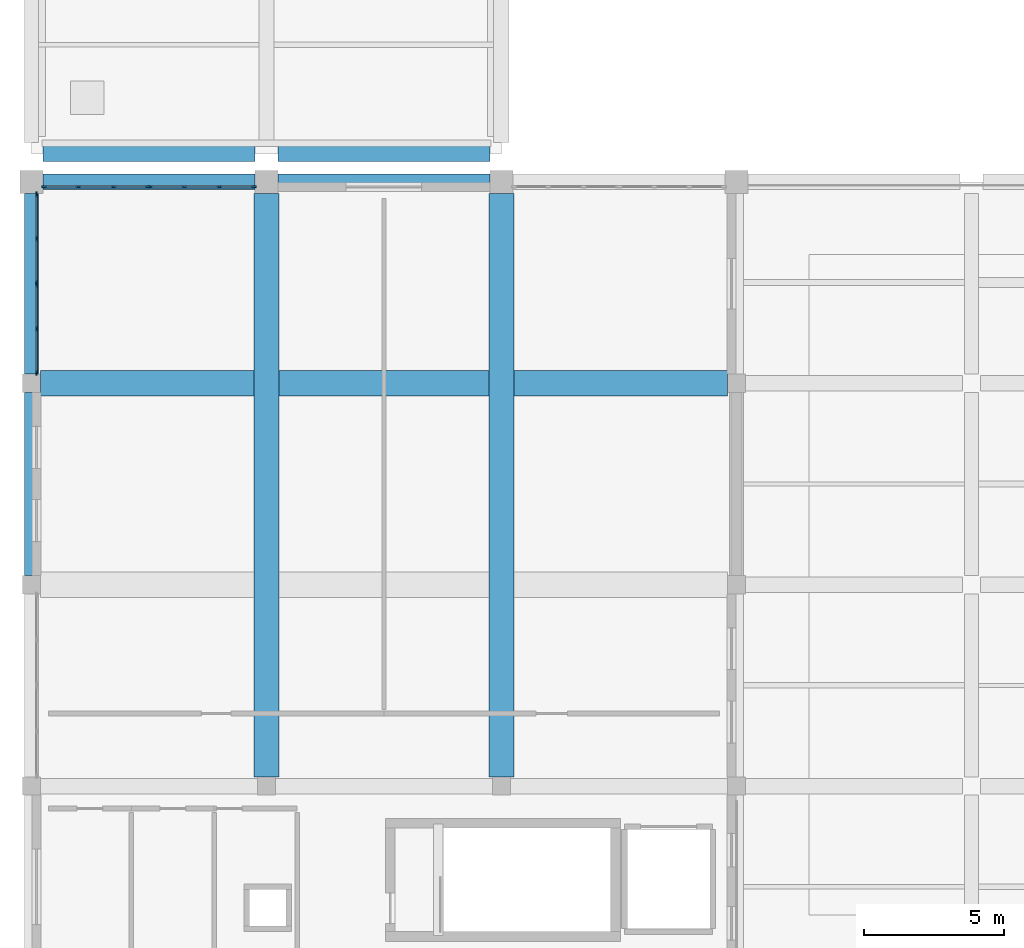
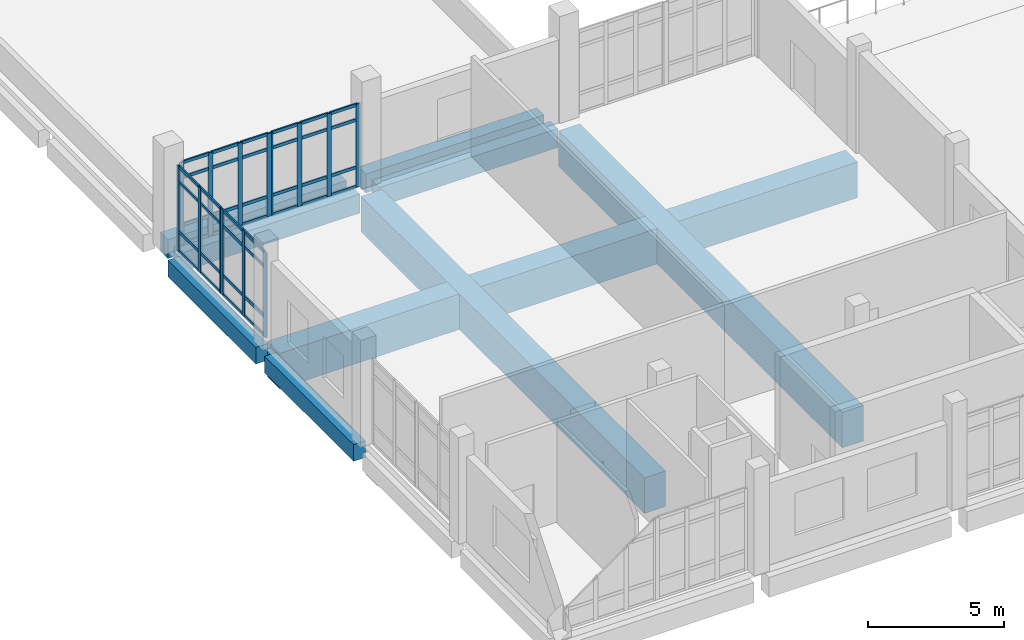
# One storey, part 4 of 73: 54 members, 9 beams, 4 elements without a shape of their own.
"""IFC4 building model written with IfcOpenShell, lengths in metres."""

from ifc_helpers import new_model, si_unit, direction, frame, origin, origin_2d, place, context, subcontext, project, spatial, rectangle, extrude, material, layer, layer_set, material_profile, profile_set, type_object, element, aggregate, save


model = new_model("IFC4")

# Units and contexts
model_context = context("Model", 3, precision=1e-05, world=origin(), true_north=direction((0.0, 1.0)))
body_context = subcontext(model_context, "Body", "Model", "MODEL_VIEW")
ifc_project = project(units=[si_unit("LENGTHUNIT", "METRE"), si_unit("AREAUNIT", "SQUARE_METRE"), si_unit("VOLUMEUNIT", "CUBIC_METRE"), si_unit("PLANEANGLEUNIT", "RADIAN"), si_unit("MASSUNIT", "GRAM", prefix="KILO")], contexts=[model_context])

# Site, building, storey
site_placement = place(None, origin())
site = spatial("IfcSite", under=ifc_project, at=site_placement, CompositionType="ELEMENT")
building_placement = place(site_placement, origin())
building = spatial("IfcBuilding", under=site, at=building_placement, Name="Kelarvand Opera House", CompositionType="ELEMENT")
storey_placement = place(building_placement, frame((0.0, 0.0, 10.199951171875)))
storey = spatial("IfcBuildingStorey", under=building, at=storey_placement, Name="L02", CompositionType="ELEMENT", Elevation=10.199951171875)

# Curtain wall, members
ifc_material_1 = material(Name="Thermally broken aluminium and low-E glazing", Category="aluminium")
ifc_layer_1 = layer(ifc_material_1, 0.179931640625, Name="Thermally broken aluminium and low-E glazing", Category="aluminium")
ifc_layer_set_1 = layer_set([ifc_layer_1], Name="Thermally broken aluminium and low-E glazing")
curtain_wall_type_1 = type_object("IfcCurtainWallType", Name="Unitised Low-E Curtain Wall 3776x3730 Mod 1350 CWF-33", PredefinedType="USERDEFINED", material=ifc_layer_set_1)
curtain_wall_1_placement = place(storey_placement, origin())
curtain_wall_1 = element("IfcCurtainWall", 1, at=curtain_wall_1_placement, inside=storey, type_object=curtain_wall_type_1, Name="V4 L02 Curtain Wall CWF-33 (151)", ObjectType="UNITISED CURTAIN WALL", PredefinedType="USERDEFINED")
ifc_material_2 = material(Name="Thermally broken anodised aluminium", Category="aluminium")
ifc_material_profile_1 = material_profile(ifc_material_2, rectangle(XDim=0.06494140625, YDim=0.179931640625, at=origin_2d()), Name="ALU MULLION 65x180", Category="aluminium")
ifc_profile_set_1 = profile_set([ifc_material_profile_1], Name="Thermally broken anodised aluminium")
member_type_1 = type_object("IfcMemberType", Name="Curtain Wall Mullion 65x180 Aluminium", PredefinedType="MULLION", material=ifc_profile_set_1)
member_1_placement = place(storey_placement, frame((9.452392578125, 37.6201171875, 0.0), z_axis=(0.0, 0.0, 1.0), x_axis=(0.0, 1.0, 0.0)))
member_1 = element("IfcMember", 2, at=member_1_placement, type_object=member_type_1, Name="CWF-33 mullion 1", PredefinedType="MULLION", context=body_context, shape_type="SweptSolid", body=[
    extrude(rectangle(XDim=0.06494140625, YDim=0.179931640625, at=origin_2d()), origin(), (0.0, 0.0, 1.0), 3.72998046875),
])
member_2_placement = place(storey_placement, frame((10.6787109375, 37.6201171875, 0.0), z_axis=(0.0, 0.0, 1.0), x_axis=(0.0, 1.0, 0.0)))
member_2 = element("IfcMember", 3, at=member_2_placement, type_object=member_type_1, Name="CWF-33 mullion 2", PredefinedType="MULLION", context=body_context, shape_type="SweptSolid", body=[
    extrude(rectangle(XDim=0.06494140625, YDim=0.179931640625, at=origin_2d()), origin(), (0.0, 0.0, 1.0), 3.72998046875),
])
member_3_placement = place(storey_placement, frame((11.937255859375, 37.6201171875, 0.0), z_axis=(0.0, 0.0, 1.0), x_axis=(0.0, 1.0, 0.0)))
member_3 = element("IfcMember", 4, at=member_3_placement, type_object=member_type_1, Name="CWF-33 mullion 3", PredefinedType="MULLION", context=body_context, shape_type="SweptSolid", body=[
    extrude(rectangle(XDim=0.06494140625, YDim=0.179931640625, at=origin_2d()), origin(), (0.0, 0.0, 1.0), 3.72998046875),
])
member_4_placement = place(storey_placement, frame((13.16357421875, 37.6201171875, 0.0), z_axis=(0.0, 0.0, 1.0), x_axis=(0.0, 1.0, 0.0)))
member_4 = element("IfcMember", 5, at=member_4_placement, type_object=member_type_1, Name="CWF-33 mullion 4", PredefinedType="MULLION", context=body_context, shape_type="SweptSolid", body=[
    extrude(rectangle(XDim=0.06494140625, YDim=0.179931640625, at=origin_2d()), origin(), (0.0, 0.0, 1.0), 3.72998046875),
])

curtain_wall_2_placement = place(storey_placement, origin())
curtain_wall_2 = element("IfcCurtainWall", 6, at=curtain_wall_2_placement, inside=storey, type_object=curtain_wall_type_1, Name="V4 L02 Curtain Wall CWF-33 (152)", ObjectType="UNITISED CURTAIN WALL", PredefinedType="USERDEFINED")
member_5_placement = place(storey_placement, frame((13.232421875, 37.6201171875, 0.0), z_axis=(0.0, 0.0, 1.0), x_axis=(0.0, 1.0, 0.0)))
member_5 = element("IfcMember", 7, at=member_5_placement, type_object=member_type_1, Name="CWF-33 mullion 1", PredefinedType="MULLION", context=body_context, shape_type="SweptSolid", body=[
    extrude(rectangle(XDim=0.06494140625, YDim=0.179931640625, at=origin_2d()), origin(), (0.0, 0.0, 1.0), 3.72998046875),
])
member_6_placement = place(storey_placement, frame((14.4599609375, 37.6201171875, 0.0), z_axis=(0.0, 0.0, 1.0), x_axis=(0.0, 1.0, 0.0)))
member_6 = element("IfcMember", 8, at=member_6_placement, type_object=member_type_1, Name="CWF-33 mullion 2", PredefinedType="MULLION", context=body_context, shape_type="SweptSolid", body=[
    extrude(rectangle(XDim=0.06494140625, YDim=0.179931640625, at=origin_2d()), origin(), (0.0, 0.0, 1.0), 3.72998046875),
])
member_7_placement = place(storey_placement, frame((15.719970703125, 37.6201171875, 0.0), z_axis=(0.0, 0.0, 1.0), x_axis=(0.0, 1.0, 0.0)))
member_7 = element("IfcMember", 9, at=member_7_placement, type_object=member_type_1, Name="CWF-33 mullion 3", PredefinedType="MULLION", context=body_context, shape_type="SweptSolid", body=[
    extrude(rectangle(XDim=0.06494140625, YDim=0.179931640625, at=origin_2d()), origin(), (0.0, 0.0, 1.0), 3.72998046875),
])
member_8_placement = place(storey_placement, frame((16.947509765625, 37.6201171875, 0.0), z_axis=(0.0, 0.0, 1.0), x_axis=(0.0, 1.0, 0.0)))
member_8 = element("IfcMember", 10, at=member_8_placement, type_object=member_type_1, Name="CWF-33 mullion 4", PredefinedType="MULLION", context=body_context, shape_type="SweptSolid", body=[
    extrude(rectangle(XDim=0.06494140625, YDim=0.179931640625, at=origin_2d()), origin(), (0.0, 0.0, 1.0), 3.72998046875),
])

ifc_layer_2 = layer(ifc_material_1, 0.179931640625, Name="Thermally broken aluminium and low-E glazing", Category="aluminium")
ifc_layer_set_2 = layer_set([ifc_layer_2], Name="Thermally broken aluminium and low-E glazing")
curtain_wall_type_2 = type_object("IfcCurtainWallType", Name="Unitised Low-E Curtain Wall 3219x3830 Mod 1350 CWF-35", PredefinedType="USERDEFINED", material=ifc_layer_set_2)
curtain_wall_3_placement = place(storey_placement, origin())
curtain_wall_3 = element("IfcCurtainWall", 11, at=curtain_wall_3_placement, inside=storey, type_object=curtain_wall_type_2, Name="V4 L02 Curtain Wall CWF-35 (157)", ObjectType="UNITISED CURTAIN WALL", PredefinedType="USERDEFINED")
member_9_placement = place(storey_placement, frame((9.179931640625, 30.967529296875, 0.0), z_axis=(0.0, 0.0, 1.0), x_axis=(-1.0, 0.0, 0.0)))
member_9 = element("IfcMember", 12, at=member_9_placement, type_object=member_type_1, Name="CWF-35 mullion 1", PredefinedType="MULLION", context=body_context, shape_type="SweptSolid", body=[
    extrude(rectangle(XDim=0.06494140625, YDim=0.179931640625, at=origin_2d()), origin(), (0.0, 0.0, 1.0), 3.830078125),
])
member_10_placement = place(storey_placement, frame((9.179931640625, 32.544189453125, 0.0), z_axis=(0.0, 0.0, 1.0), x_axis=(-1.0, 0.0, 0.0)))
member_10 = element("IfcMember", 13, at=member_10_placement, type_object=member_type_1, Name="CWF-35 mullion 2", PredefinedType="MULLION", context=body_context, shape_type="SweptSolid", body=[
    extrude(rectangle(XDim=0.06494140625, YDim=0.179931640625, at=origin_2d()), origin(), (0.0, 0.0, 1.0), 3.830078125),
])
member_11_placement = place(storey_placement, frame((9.179931640625, 34.12109375, 0.0), z_axis=(0.0, 0.0, 1.0), x_axis=(-1.0, 0.0, 0.0)))
member_11 = element("IfcMember", 14, at=member_11_placement, type_object=member_type_1, Name="CWF-35 mullion 3", PredefinedType="MULLION", context=body_context, shape_type="SweptSolid", body=[
    extrude(rectangle(XDim=0.06494140625, YDim=0.179931640625, at=origin_2d()), origin(), (0.0, 0.0, 1.0), 3.830078125),
])

curtain_wall_4_placement = place(storey_placement, origin())
curtain_wall_4 = element("IfcCurtainWall", 15, at=curtain_wall_4_placement, inside=storey, type_object=curtain_wall_type_2, Name="V4 L02 Curtain Wall CWF-35 (158)", ObjectType="UNITISED CURTAIN WALL", PredefinedType="USERDEFINED")
member_12_placement = place(storey_placement, frame((9.179931640625, 34.18994140625, 0.0), z_axis=(0.0, 0.0, 1.0), x_axis=(-1.0, 0.0, 0.0)))
member_12 = element("IfcMember", 16, at=member_12_placement, type_object=member_type_1, Name="CWF-35 mullion 1", PredefinedType="MULLION", context=body_context, shape_type="SweptSolid", body=[
    extrude(rectangle(XDim=0.06494140625, YDim=0.179931640625, at=origin_2d()), origin(), (0.0, 0.0, 1.0), 3.830078125),
])
member_13_placement = place(storey_placement, frame((9.179931640625, 35.768798828125, 0.0), z_axis=(0.0, 0.0, 1.0), x_axis=(-1.0, 0.0, 0.0)))
member_13 = element("IfcMember", 17, at=member_13_placement, type_object=member_type_1, Name="CWF-35 mullion 2", PredefinedType="MULLION", context=body_context, shape_type="SweptSolid", body=[
    extrude(rectangle(XDim=0.06494140625, YDim=0.179931640625, at=origin_2d()), origin(), (0.0, 0.0, 1.0), 3.830078125),
])
member_14_placement = place(storey_placement, frame((9.179931640625, 37.347412109375, 0.0), z_axis=(0.0, 0.0, 1.0), x_axis=(-1.0, 0.0, 0.0)))
member_14 = element("IfcMember", 18, at=member_14_placement, type_object=member_type_1, Name="CWF-35 mullion 3", PredefinedType="MULLION", context=body_context, shape_type="SweptSolid", body=[
    extrude(rectangle(XDim=0.06494140625, YDim=0.179931640625, at=origin_2d()), origin(), (0.0, 0.0, 1.0), 3.830078125),
])

# Member
ifc_material_profile_2 = material_profile(ifc_material_2, rectangle(XDim=0.06494140625, YDim=0.139892578125, at=origin_2d()), Name="ALU TRANSOM 65x140", Category="aluminium")
ifc_profile_set_2 = profile_set([ifc_material_profile_2], Name="Thermally broken anodised aluminium")
member_type_2 = type_object("IfcMemberType", Name="Curtain Wall Transom 65x140 Aluminium", PredefinedType="USERDEFINED", material=ifc_profile_set_2)
member_15_placement = place(storey_placement, frame((9.485107421875, 37.6201171875, 0.032470703125), z_axis=(1.0, 0.0, 0.0), x_axis=(0.0, 1.0, 0.0)))
member_15 = element("IfcMember", 19, at=member_15_placement, type_object=member_type_2, Name="CWF-33 transom 1.1", ObjectType="TRANSOM", PredefinedType="USERDEFINED", context=body_context, shape_type="SweptSolid", body=[
    extrude(rectangle(XDim=0.06494140625, YDim=0.139892578125, at=origin_2d()), origin(), (0.0, 0.0, 1.0), 1.1611328125),
])

member_16_placement = place(storey_placement, frame((9.485107421875, 37.6201171875, 0.900146484375), z_axis=(1.0, 0.0, 0.0), x_axis=(0.0, 1.0, 0.0)))
member_16 = element("IfcMember", 20, at=member_16_placement, type_object=member_type_2, Name="CWF-33 transom 1.2", ObjectType="TRANSOM", PredefinedType="USERDEFINED", context=body_context, shape_type="SweptSolid", body=[
    extrude(rectangle(XDim=0.06494140625, YDim=0.139892578125, at=origin_2d()), origin(), (0.0, 0.0, 1.0), 1.1611328125),
])

member_17_placement = place(storey_placement, frame((9.485107421875, 37.6201171875, 3.030029296875), z_axis=(1.0, 0.0, 0.0), x_axis=(0.0, 1.0, 0.0)))
member_17 = element("IfcMember", 21, at=member_17_placement, type_object=member_type_2, Name="CWF-33 transom 1.3", ObjectType="TRANSOM", PredefinedType="USERDEFINED", context=body_context, shape_type="SweptSolid", body=[
    extrude(rectangle(XDim=0.06494140625, YDim=0.139892578125, at=origin_2d()), origin(), (0.0, 0.0, 1.0), 1.1611328125),
])

member_18_placement = place(storey_placement, frame((9.485107421875, 37.6201171875, 3.697509765625), z_axis=(1.0, 0.0, 0.0), x_axis=(0.0, 1.0, 0.0)))
member_18 = element("IfcMember", 22, at=member_18_placement, type_object=member_type_2, Name="CWF-33 transom 1.4", ObjectType="TRANSOM", PredefinedType="USERDEFINED", context=body_context, shape_type="SweptSolid", body=[
    extrude(rectangle(XDim=0.06494140625, YDim=0.139892578125, at=origin_2d()), origin(), (0.0, 0.0, 1.0), 1.1611328125),
])

member_19_placement = place(storey_placement, frame((10.711181640625, 37.6201171875, 0.032470703125), z_axis=(1.0, 0.0, 0.0), x_axis=(0.0, 1.0, 0.0)))
member_19 = element("IfcMember", 23, at=member_19_placement, type_object=member_type_2, Name="CWF-33 transom 2.1", ObjectType="TRANSOM", PredefinedType="USERDEFINED", context=body_context, shape_type="SweptSolid", body=[
    extrude(rectangle(XDim=0.06494140625, YDim=0.139892578125, at=origin_2d()), origin(), (0.0, 0.0, 1.0), 1.193603515625),
])

member_20_placement = place(storey_placement, frame((10.711181640625, 37.6201171875, 0.900146484375), z_axis=(1.0, 0.0, 0.0), x_axis=(0.0, 1.0, 0.0)))
member_20 = element("IfcMember", 24, at=member_20_placement, type_object=member_type_2, Name="CWF-33 transom 2.2", ObjectType="TRANSOM", PredefinedType="USERDEFINED", context=body_context, shape_type="SweptSolid", body=[
    extrude(rectangle(XDim=0.06494140625, YDim=0.139892578125, at=origin_2d()), origin(), (0.0, 0.0, 1.0), 1.193603515625),
])

member_21_placement = place(storey_placement, frame((10.711181640625, 37.6201171875, 3.030029296875), z_axis=(1.0, 0.0, 0.0), x_axis=(0.0, 1.0, 0.0)))
member_21 = element("IfcMember", 25, at=member_21_placement, type_object=member_type_2, Name="CWF-33 transom 2.3", ObjectType="TRANSOM", PredefinedType="USERDEFINED", context=body_context, shape_type="SweptSolid", body=[
    extrude(rectangle(XDim=0.06494140625, YDim=0.139892578125, at=origin_2d()), origin(), (0.0, 0.0, 1.0), 1.193603515625),
])

member_22_placement = place(storey_placement, frame((10.711181640625, 37.6201171875, 3.697509765625), z_axis=(1.0, 0.0, 0.0), x_axis=(0.0, 1.0, 0.0)))
member_22 = element("IfcMember", 26, at=member_22_placement, type_object=member_type_2, Name="CWF-33 transom 2.4", ObjectType="TRANSOM", PredefinedType="USERDEFINED", context=body_context, shape_type="SweptSolid", body=[
    extrude(rectangle(XDim=0.06494140625, YDim=0.139892578125, at=origin_2d()), origin(), (0.0, 0.0, 1.0), 1.193603515625),
])

member_23_placement = place(storey_placement, frame((11.9697265625, 37.6201171875, 0.032470703125), z_axis=(1.0, 0.0, 0.0), x_axis=(0.0, 1.0, 0.0)))
member_23 = element("IfcMember", 27, at=member_23_placement, type_object=member_type_2, Name="CWF-33 transom 3.1", ObjectType="TRANSOM", PredefinedType="USERDEFINED", context=body_context, shape_type="SweptSolid", body=[
    extrude(rectangle(XDim=0.06494140625, YDim=0.139892578125, at=origin_2d()), origin(), (0.0, 0.0, 1.0), 1.161376953125),
])

member_24_placement = place(storey_placement, frame((11.9697265625, 37.6201171875, 0.900146484375), z_axis=(1.0, 0.0, 0.0), x_axis=(0.0, 1.0, 0.0)))
member_24 = element("IfcMember", 28, at=member_24_placement, type_object=member_type_2, Name="CWF-33 transom 3.2", ObjectType="TRANSOM", PredefinedType="USERDEFINED", context=body_context, shape_type="SweptSolid", body=[
    extrude(rectangle(XDim=0.06494140625, YDim=0.139892578125, at=origin_2d()), origin(), (0.0, 0.0, 1.0), 1.161376953125),
])

member_25_placement = place(storey_placement, frame((11.9697265625, 37.6201171875, 3.030029296875), z_axis=(1.0, 0.0, 0.0), x_axis=(0.0, 1.0, 0.0)))
member_25 = element("IfcMember", 29, at=member_25_placement, type_object=member_type_2, Name="CWF-33 transom 3.3", ObjectType="TRANSOM", PredefinedType="USERDEFINED", context=body_context, shape_type="SweptSolid", body=[
    extrude(rectangle(XDim=0.06494140625, YDim=0.139892578125, at=origin_2d()), origin(), (0.0, 0.0, 1.0), 1.161376953125),
])

member_26_placement = place(storey_placement, frame((11.9697265625, 37.6201171875, 3.697509765625), z_axis=(1.0, 0.0, 0.0), x_axis=(0.0, 1.0, 0.0)))
member_26 = element("IfcMember", 30, at=member_26_placement, type_object=member_type_2, Name="CWF-33 transom 3.4", ObjectType="TRANSOM", PredefinedType="USERDEFINED", context=body_context, shape_type="SweptSolid", body=[
    extrude(rectangle(XDim=0.06494140625, YDim=0.139892578125, at=origin_2d()), origin(), (0.0, 0.0, 1.0), 1.161376953125),
])

aggregate(curtain_wall_1, [member_1, member_2, member_3, member_4, member_15, member_16, member_17, member_18, member_19, member_20, member_21, member_22, member_23, member_24, member_25, member_26])

member_27_placement = place(storey_placement, frame((13.264892578125, 37.6201171875, 0.032470703125), z_axis=(1.0, 0.0, 0.0), x_axis=(0.0, 1.0, 0.0)))
member_27 = element("IfcMember", 31, at=member_27_placement, type_object=member_type_2, Name="CWF-33 transom 1.1", ObjectType="TRANSOM", PredefinedType="USERDEFINED", context=body_context, shape_type="SweptSolid", body=[
    extrude(rectangle(XDim=0.06494140625, YDim=0.139892578125, at=origin_2d()), origin(), (0.0, 0.0, 1.0), 1.16259765625),
])

member_28_placement = place(storey_placement, frame((13.264892578125, 37.6201171875, 0.900146484375), z_axis=(1.0, 0.0, 0.0), x_axis=(0.0, 1.0, 0.0)))
member_28 = element("IfcMember", 32, at=member_28_placement, type_object=member_type_2, Name="CWF-33 transom 1.2", ObjectType="TRANSOM", PredefinedType="USERDEFINED", context=body_context, shape_type="SweptSolid", body=[
    extrude(rectangle(XDim=0.06494140625, YDim=0.139892578125, at=origin_2d()), origin(), (0.0, 0.0, 1.0), 1.16259765625),
])

member_29_placement = place(storey_placement, frame((13.264892578125, 37.6201171875, 3.030029296875), z_axis=(1.0, 0.0, 0.0), x_axis=(0.0, 1.0, 0.0)))
member_29 = element("IfcMember", 33, at=member_29_placement, type_object=member_type_2, Name="CWF-33 transom 1.3", ObjectType="TRANSOM", PredefinedType="USERDEFINED", context=body_context, shape_type="SweptSolid", body=[
    extrude(rectangle(XDim=0.06494140625, YDim=0.139892578125, at=origin_2d()), origin(), (0.0, 0.0, 1.0), 1.16259765625),
])

member_30_placement = place(storey_placement, frame((13.264892578125, 37.6201171875, 3.697509765625), z_axis=(1.0, 0.0, 0.0), x_axis=(0.0, 1.0, 0.0)))
member_30 = element("IfcMember", 34, at=member_30_placement, type_object=member_type_2, Name="CWF-33 transom 1.4", ObjectType="TRANSOM", PredefinedType="USERDEFINED", context=body_context, shape_type="SweptSolid", body=[
    extrude(rectangle(XDim=0.06494140625, YDim=0.139892578125, at=origin_2d()), origin(), (0.0, 0.0, 1.0), 1.16259765625),
])

member_31_placement = place(storey_placement, frame((14.492431640625, 37.6201171875, 0.032470703125), z_axis=(1.0, 0.0, 0.0), x_axis=(0.0, 1.0, 0.0)))
member_31 = element("IfcMember", 35, at=member_31_placement, type_object=member_type_2, Name="CWF-33 transom 2.1", ObjectType="TRANSOM", PredefinedType="USERDEFINED", context=body_context, shape_type="SweptSolid", body=[
    extrude(rectangle(XDim=0.06494140625, YDim=0.139892578125, at=origin_2d()), origin(), (0.0, 0.0, 1.0), 1.195068359375),
])

member_32_placement = place(storey_placement, frame((14.492431640625, 37.6201171875, 0.900146484375), z_axis=(1.0, 0.0, 0.0), x_axis=(0.0, 1.0, 0.0)))
member_32 = element("IfcMember", 36, at=member_32_placement, type_object=member_type_2, Name="CWF-33 transom 2.2", ObjectType="TRANSOM", PredefinedType="USERDEFINED", context=body_context, shape_type="SweptSolid", body=[
    extrude(rectangle(XDim=0.06494140625, YDim=0.139892578125, at=origin_2d()), origin(), (0.0, 0.0, 1.0), 1.195068359375),
])

member_33_placement = place(storey_placement, frame((14.492431640625, 37.6201171875, 3.030029296875), z_axis=(1.0, 0.0, 0.0), x_axis=(0.0, 1.0, 0.0)))
member_33 = element("IfcMember", 37, at=member_33_placement, type_object=member_type_2, Name="CWF-33 transom 2.3", ObjectType="TRANSOM", PredefinedType="USERDEFINED", context=body_context, shape_type="SweptSolid", body=[
    extrude(rectangle(XDim=0.06494140625, YDim=0.139892578125, at=origin_2d()), origin(), (0.0, 0.0, 1.0), 1.195068359375),
])

member_34_placement = place(storey_placement, frame((14.492431640625, 37.6201171875, 3.697509765625), z_axis=(1.0, 0.0, 0.0), x_axis=(0.0, 1.0, 0.0)))
member_34 = element("IfcMember", 38, at=member_34_placement, type_object=member_type_2, Name="CWF-33 transom 2.4", ObjectType="TRANSOM", PredefinedType="USERDEFINED", context=body_context, shape_type="SweptSolid", body=[
    extrude(rectangle(XDim=0.06494140625, YDim=0.139892578125, at=origin_2d()), origin(), (0.0, 0.0, 1.0), 1.195068359375),
])

member_35_placement = place(storey_placement, frame((15.75244140625, 37.6201171875, 0.032470703125), z_axis=(1.0, 0.0, 0.0), x_axis=(0.0, 1.0, 0.0)))
member_35 = element("IfcMember", 39, at=member_35_placement, type_object=member_type_2, Name="CWF-33 transom 3.1", ObjectType="TRANSOM", PredefinedType="USERDEFINED", context=body_context, shape_type="SweptSolid", body=[
    extrude(rectangle(XDim=0.06494140625, YDim=0.139892578125, at=origin_2d()), origin(), (0.0, 0.0, 1.0), 1.16259765625),
])

member_36_placement = place(storey_placement, frame((15.75244140625, 37.6201171875, 0.900146484375), z_axis=(1.0, 0.0, 0.0), x_axis=(0.0, 1.0, 0.0)))
member_36 = element("IfcMember", 40, at=member_36_placement, type_object=member_type_2, Name="CWF-33 transom 3.2", ObjectType="TRANSOM", PredefinedType="USERDEFINED", context=body_context, shape_type="SweptSolid", body=[
    extrude(rectangle(XDim=0.06494140625, YDim=0.139892578125, at=origin_2d()), origin(), (0.0, 0.0, 1.0), 1.16259765625),
])

member_37_placement = place(storey_placement, frame((15.75244140625, 37.6201171875, 3.030029296875), z_axis=(1.0, 0.0, 0.0), x_axis=(0.0, 1.0, 0.0)))
member_37 = element("IfcMember", 41, at=member_37_placement, type_object=member_type_2, Name="CWF-33 transom 3.3", ObjectType="TRANSOM", PredefinedType="USERDEFINED", context=body_context, shape_type="SweptSolid", body=[
    extrude(rectangle(XDim=0.06494140625, YDim=0.139892578125, at=origin_2d()), origin(), (0.0, 0.0, 1.0), 1.16259765625),
])

member_38_placement = place(storey_placement, frame((15.75244140625, 37.6201171875, 3.697509765625), z_axis=(1.0, 0.0, 0.0), x_axis=(0.0, 1.0, 0.0)))
member_38 = element("IfcMember", 42, at=member_38_placement, type_object=member_type_2, Name="CWF-33 transom 3.4", ObjectType="TRANSOM", PredefinedType="USERDEFINED", context=body_context, shape_type="SweptSolid", body=[
    extrude(rectangle(XDim=0.06494140625, YDim=0.139892578125, at=origin_2d()), origin(), (0.0, 0.0, 1.0), 1.16259765625),
])

aggregate(curtain_wall_2, [member_5, member_6, member_7, member_8, member_27, member_28, member_29, member_30, member_31, member_32, member_33, member_34, member_35, member_36, member_37, member_38])

member_39_placement = place(storey_placement, frame((9.179931640625, 31.0, 0.032470703125), z_axis=(0.0, 1.0, 0.0), x_axis=(-1.0, 0.0, 0.0)))
member_39 = element("IfcMember", 43, at=member_39_placement, type_object=member_type_2, Name="CWF-35 transom 1.1", ObjectType="TRANSOM", PredefinedType="USERDEFINED", context=body_context, shape_type="SweptSolid", body=[
    extrude(rectangle(XDim=0.06494140625, YDim=0.139892578125, at=origin_2d()), origin(), (0.0, 0.0, 1.0), 1.51171875),
])

member_40_placement = place(storey_placement, frame((9.179931640625, 31.0, 0.900146484375), z_axis=(0.0, 1.0, 0.0), x_axis=(-1.0, 0.0, 0.0)))
member_40 = element("IfcMember", 44, at=member_40_placement, type_object=member_type_2, Name="CWF-35 transom 1.2", ObjectType="TRANSOM", PredefinedType="USERDEFINED", context=body_context, shape_type="SweptSolid", body=[
    extrude(rectangle(XDim=0.06494140625, YDim=0.139892578125, at=origin_2d()), origin(), (0.0, 0.0, 1.0), 1.51171875),
])

member_41_placement = place(storey_placement, frame((9.179931640625, 31.0, 3.130126953125), z_axis=(0.0, 1.0, 0.0), x_axis=(-1.0, 0.0, 0.0)))
member_41 = element("IfcMember", 45, at=member_41_placement, type_object=member_type_2, Name="CWF-35 transom 1.3", ObjectType="TRANSOM", PredefinedType="USERDEFINED", context=body_context, shape_type="SweptSolid", body=[
    extrude(rectangle(XDim=0.06494140625, YDim=0.139892578125, at=origin_2d()), origin(), (0.0, 0.0, 1.0), 1.51171875),
])

member_42_placement = place(storey_placement, frame((9.179931640625, 31.0, 3.797607421875), z_axis=(0.0, 1.0, 0.0), x_axis=(-1.0, 0.0, 0.0)))
member_42 = element("IfcMember", 46, at=member_42_placement, type_object=member_type_2, Name="CWF-35 transom 1.4", ObjectType="TRANSOM", PredefinedType="USERDEFINED", context=body_context, shape_type="SweptSolid", body=[
    extrude(rectangle(XDim=0.06494140625, YDim=0.139892578125, at=origin_2d()), origin(), (0.0, 0.0, 1.0), 1.51171875),
])

member_43_placement = place(storey_placement, frame((9.179931640625, 32.57666015625, 0.032470703125), z_axis=(0.0, 1.0, 0.0), x_axis=(-1.0, 0.0, 0.0)))
member_43 = element("IfcMember", 47, at=member_43_placement, type_object=member_type_2, Name="CWF-35 transom 2.1", ObjectType="TRANSOM", PredefinedType="USERDEFINED", context=body_context, shape_type="SweptSolid", body=[
    extrude(rectangle(XDim=0.06494140625, YDim=0.139892578125, at=origin_2d()), origin(), (0.0, 0.0, 1.0), 1.51171875),
])

member_44_placement = place(storey_placement, frame((9.179931640625, 32.57666015625, 0.900146484375), z_axis=(0.0, 1.0, 0.0), x_axis=(-1.0, 0.0, 0.0)))
member_44 = element("IfcMember", 48, at=member_44_placement, type_object=member_type_2, Name="CWF-35 transom 2.2", ObjectType="TRANSOM", PredefinedType="USERDEFINED", context=body_context, shape_type="SweptSolid", body=[
    extrude(rectangle(XDim=0.06494140625, YDim=0.139892578125, at=origin_2d()), origin(), (0.0, 0.0, 1.0), 1.51171875),
])

member_45_placement = place(storey_placement, frame((9.179931640625, 32.57666015625, 3.130126953125), z_axis=(0.0, 1.0, 0.0), x_axis=(-1.0, 0.0, 0.0)))
member_45 = element("IfcMember", 49, at=member_45_placement, type_object=member_type_2, Name="CWF-35 transom 2.3", ObjectType="TRANSOM", PredefinedType="USERDEFINED", context=body_context, shape_type="SweptSolid", body=[
    extrude(rectangle(XDim=0.06494140625, YDim=0.139892578125, at=origin_2d()), origin(), (0.0, 0.0, 1.0), 1.51171875),
])

member_46_placement = place(storey_placement, frame((9.179931640625, 32.57666015625, 3.797607421875), z_axis=(0.0, 1.0, 0.0), x_axis=(-1.0, 0.0, 0.0)))
member_46 = element("IfcMember", 50, at=member_46_placement, type_object=member_type_2, Name="CWF-35 transom 2.4", ObjectType="TRANSOM", PredefinedType="USERDEFINED", context=body_context, shape_type="SweptSolid", body=[
    extrude(rectangle(XDim=0.06494140625, YDim=0.139892578125, at=origin_2d()), origin(), (0.0, 0.0, 1.0), 1.51171875),
])

aggregate(curtain_wall_3, [member_9, member_10, member_11, member_39, member_40, member_41, member_42, member_43, member_44, member_45, member_46])

member_47_placement = place(storey_placement, frame((9.179931640625, 34.222412109375, 0.032470703125), z_axis=(0.0, 1.0, 0.0), x_axis=(-1.0, 0.0, 0.0)))
member_47 = element("IfcMember", 51, at=member_47_placement, type_object=member_type_2, Name="CWF-35 transom 1.1", ObjectType="TRANSOM", PredefinedType="USERDEFINED", context=body_context, shape_type="SweptSolid", body=[
    extrude(rectangle(XDim=0.06494140625, YDim=0.139892578125, at=origin_2d()), origin(), (0.0, 0.0, 1.0), 1.513916015625),
])

member_48_placement = place(storey_placement, frame((9.179931640625, 34.222412109375, 0.900146484375), z_axis=(0.0, 1.0, 0.0), x_axis=(-1.0, 0.0, 0.0)))
member_48 = element("IfcMember", 52, at=member_48_placement, type_object=member_type_2, Name="CWF-35 transom 1.2", ObjectType="TRANSOM", PredefinedType="USERDEFINED", context=body_context, shape_type="SweptSolid", body=[
    extrude(rectangle(XDim=0.06494140625, YDim=0.139892578125, at=origin_2d()), origin(), (0.0, 0.0, 1.0), 1.513916015625),
])

member_49_placement = place(storey_placement, frame((9.179931640625, 34.222412109375, 3.130126953125), z_axis=(0.0, 1.0, 0.0), x_axis=(-1.0, 0.0, 0.0)))
member_49 = element("IfcMember", 53, at=member_49_placement, type_object=member_type_2, Name="CWF-35 transom 1.3", ObjectType="TRANSOM", PredefinedType="USERDEFINED", context=body_context, shape_type="SweptSolid", body=[
    extrude(rectangle(XDim=0.06494140625, YDim=0.139892578125, at=origin_2d()), origin(), (0.0, 0.0, 1.0), 1.513916015625),
])

member_50_placement = place(storey_placement, frame((9.179931640625, 34.222412109375, 3.797607421875), z_axis=(0.0, 1.0, 0.0), x_axis=(-1.0, 0.0, 0.0)))
member_50 = element("IfcMember", 54, at=member_50_placement, type_object=member_type_2, Name="CWF-35 transom 1.4", ObjectType="TRANSOM", PredefinedType="USERDEFINED", context=body_context, shape_type="SweptSolid", body=[
    extrude(rectangle(XDim=0.06494140625, YDim=0.139892578125, at=origin_2d()), origin(), (0.0, 0.0, 1.0), 1.513916015625),
])

member_51_placement = place(storey_placement, frame((9.179931640625, 35.80126953125, 0.032470703125), z_axis=(0.0, 1.0, 0.0), x_axis=(-1.0, 0.0, 0.0)))
member_51 = element("IfcMember", 55, at=member_51_placement, type_object=member_type_2, Name="CWF-35 transom 2.1", ObjectType="TRANSOM", PredefinedType="USERDEFINED", context=body_context, shape_type="SweptSolid", body=[
    extrude(rectangle(XDim=0.06494140625, YDim=0.139892578125, at=origin_2d()), origin(), (0.0, 0.0, 1.0), 1.513671875),
])

member_52_placement = place(storey_placement, frame((9.179931640625, 35.80126953125, 0.900146484375), z_axis=(0.0, 1.0, 0.0), x_axis=(-1.0, 0.0, 0.0)))
member_52 = element("IfcMember", 56, at=member_52_placement, type_object=member_type_2, Name="CWF-35 transom 2.2", ObjectType="TRANSOM", PredefinedType="USERDEFINED", context=body_context, shape_type="SweptSolid", body=[
    extrude(rectangle(XDim=0.06494140625, YDim=0.139892578125, at=origin_2d()), origin(), (0.0, 0.0, 1.0), 1.513671875),
])

member_53_placement = place(storey_placement, frame((9.179931640625, 35.80126953125, 3.130126953125), z_axis=(0.0, 1.0, 0.0), x_axis=(-1.0, 0.0, 0.0)))
member_53 = element("IfcMember", 57, at=member_53_placement, type_object=member_type_2, Name="CWF-35 transom 2.3", ObjectType="TRANSOM", PredefinedType="USERDEFINED", context=body_context, shape_type="SweptSolid", body=[
    extrude(rectangle(XDim=0.06494140625, YDim=0.139892578125, at=origin_2d()), origin(), (0.0, 0.0, 1.0), 1.513671875),
])

member_54_placement = place(storey_placement, frame((9.179931640625, 35.80126953125, 3.797607421875), z_axis=(0.0, 1.0, 0.0), x_axis=(-1.0, 0.0, 0.0)))
member_54 = element("IfcMember", 58, at=member_54_placement, type_object=member_type_2, Name="CWF-35 transom 2.4", ObjectType="TRANSOM", PredefinedType="USERDEFINED", context=body_context, shape_type="SweptSolid", body=[
    extrude(rectangle(XDim=0.06494140625, YDim=0.139892578125, at=origin_2d()), origin(), (0.0, 0.0, 1.0), 1.513671875),
])

aggregate(curtain_wall_4, [member_12, member_13, member_14, member_47, member_48, member_49, member_50, member_51, member_52, member_53, member_54])

# Beams
ifc_material_3 = material(Name="Concrete C40/50", Category="concrete")
ifc_material_profile_3 = material_profile(ifc_material_3, rectangle(XDim=0.550048828125, YDim=0.85009765625, at=origin_2d()), Name="RC 550x850", Category="concrete")
ifc_profile_set_3 = profile_set([ifc_material_profile_3], Name="Concrete C40/50")
beam_type_1 = type_object("IfcBeamType", Name="Structural Beam RC 550x850 BM-RC550x850", PredefinedType="BEAM", material=ifc_profile_set_3)
beam_1_placement = place(storey_placement, frame((9.409912109375, 37.800048828125, -0.724853515625), z_axis=(1.0, 0.0, 0.0), x_axis=(0.0, 1.0, 0.0)))
element("IfcBeam", 59, at=beam_1_placement, inside=storey, type_object=beam_type_1, Name="V4 L02 Beam BM-RC550x850", PredefinedType="BEAM", context=body_context, shape_type="SweptSolid", body=[
    extrude(rectangle(XDim=0.550048828125, YDim=0.85009765625, at=origin_2d()), origin(), (0.0, 0.0, 1.0), 7.580078125),
])
beam_2_placement = place(storey_placement, frame((17.81005859375, 37.800048828125, -0.724853515625), z_axis=(1.0, 0.0, 0.0), x_axis=(0.0, 1.0, 0.0)))
element("IfcBeam", 60, at=beam_2_placement, inside=storey, type_object=beam_type_1, Name="V4 L02 Beam BM-RC550x850", PredefinedType="BEAM", context=body_context, shape_type="SweptSolid", body=[
    extrude(rectangle(XDim=0.550048828125, YDim=0.85009765625, at=origin_2d()), origin(), (0.0, 0.0, 1.0), 7.579833984375),
])
beam_3_placement = place(storey_placement, frame((9.409912109375, 38.800048828125, -0.724853515625), z_axis=(1.0, 0.0, 0.0), x_axis=(0.0, 1.0, 0.0)))
element("IfcBeam", 61, at=beam_3_placement, inside=storey, type_object=beam_type_1, Name="V4 L02 Beam BM-RC550x850", PredefinedType="BEAM", context=body_context, shape_type="SweptSolid", body=[
    extrude(rectangle(XDim=0.550048828125, YDim=0.85009765625, at=origin_2d()), origin(), (0.0, 0.0, 1.0), 7.580078125),
])
beam_4_placement = place(storey_placement, frame((17.81005859375, 38.800048828125, -0.724853515625), z_axis=(1.0, 0.0, 0.0), x_axis=(0.0, 1.0, 0.0)))
element("IfcBeam", 62, at=beam_4_placement, inside=storey, type_object=beam_type_1, Name="V4 L02 Beam BM-RC550x850", PredefinedType="BEAM", context=body_context, shape_type="SweptSolid", body=[
    extrude(rectangle(XDim=0.550048828125, YDim=0.85009765625, at=origin_2d()), origin(), (0.0, 0.0, 1.0), 7.579833984375),
])
ifc_material_profile_4 = material_profile(ifc_material_3, rectangle(XDim=0.89990234375, YDim=1.60009765625, at=origin_2d()), Name="RC 900x1600", Category="concrete")
ifc_profile_set_4 = profile_set([ifc_material_profile_4], Name="Concrete C40/50")
beam_type_2 = type_object("IfcBeamType", Name="Structural Beam RC 900x1600 BM-RC900x1600", PredefinedType="BEAM", material=ifc_profile_set_4)
beam_5_placement = place(storey_placement, frame((9.324951171875, 30.60009765625, -1.099853515625), z_axis=(1.0, 0.0, 0.0), x_axis=(0.0, 1.0, 0.0)))
element("IfcBeam", 63, at=beam_5_placement, inside=storey, type_object=beam_type_2, Name="V4 L02 Beam BM-RC900x1600", PredefinedType="BEAM", context=body_context, shape_type="SweptSolid", body=[
    extrude(rectangle(XDim=0.89990234375, YDim=1.60009765625, at=origin_2d()), origin(), (0.0, 0.0, 1.0), 24.550048828125),
])
for number, where, z_axis, x_axis, name in (
    (64, (17.39990234375, 16.52490234375, -1.099853515625), (0.0, 1.0, 0.0), (-1.0, 0.0, 0.0), "V4 L02 Beam BM-RC900x1600"),
    (65, (25.800048828125, 16.52490234375, -1.099853515625), (0.0, 1.0, 0.0), (-1.0, 0.0, 0.0), "V4 L02 Beam BM-RC900x1600"),
):
    element("IfcBeam", number, at=place(storey_placement, frame(where, z_axis=z_axis, x_axis=x_axis)), inside=storey, type_object=beam_type_2, Name=name, PredefinedType="BEAM", context=body_context, shape_type="SweptSolid", body=[
        extrude(rectangle(XDim=0.89990234375, YDim=1.60009765625, at=origin_2d()), origin(), (0.0, 0.0, 1.0), 20.864990234375),
    ])
ifc_material_profile_5 = material_profile(ifc_material_3, rectangle(XDim=0.5, YDim=0.75, at=origin_2d()), Name="RC 500x750", Category="concrete")
ifc_profile_set_5 = profile_set([ifc_material_profile_5], Name="Concrete C40/50")
beam_type_3 = type_object("IfcBeamType", Name="Structural Spandrel RC 500x750 SP-RC500x750E", PredefinedType="SPANDREL", material=ifc_profile_set_5)
beam_6_placement = place(storey_placement, frame((9.0, 23.72509765625, -0.675048828125), z_axis=(0.0, 1.0, 0.0), x_axis=(-1.0, 0.0, 0.0)))
element("IfcBeam", 66, at=beam_6_placement, inside=storey, type_object=beam_type_3, Name="V4 L02 Beam SP-RC500x750E", PredefinedType="SPANDREL", context=body_context, shape_type="SweptSolid", body=[
    extrude(rectangle(XDim=0.5, YDim=0.75, at=origin_2d()), origin(), (0.0, 0.0, 1.0), 6.5498046875),
])
beam_7_placement = place(storey_placement, frame((9.0, 30.925048828125, -0.675048828125), z_axis=(0.0, 1.0, 0.0), x_axis=(-1.0, 0.0, 0.0)))
element("IfcBeam", 67, at=beam_7_placement, inside=storey, type_object=beam_type_3, Name="V4 L02 Beam SP-RC500x750E", PredefinedType="SPANDREL", context=body_context, shape_type="SweptSolid", body=[
    extrude(rectangle(XDim=0.5, YDim=0.75, at=origin_2d()), origin(), (0.0, 0.0, 1.0), 6.46484375),
])

save(model, "model.ifc")
